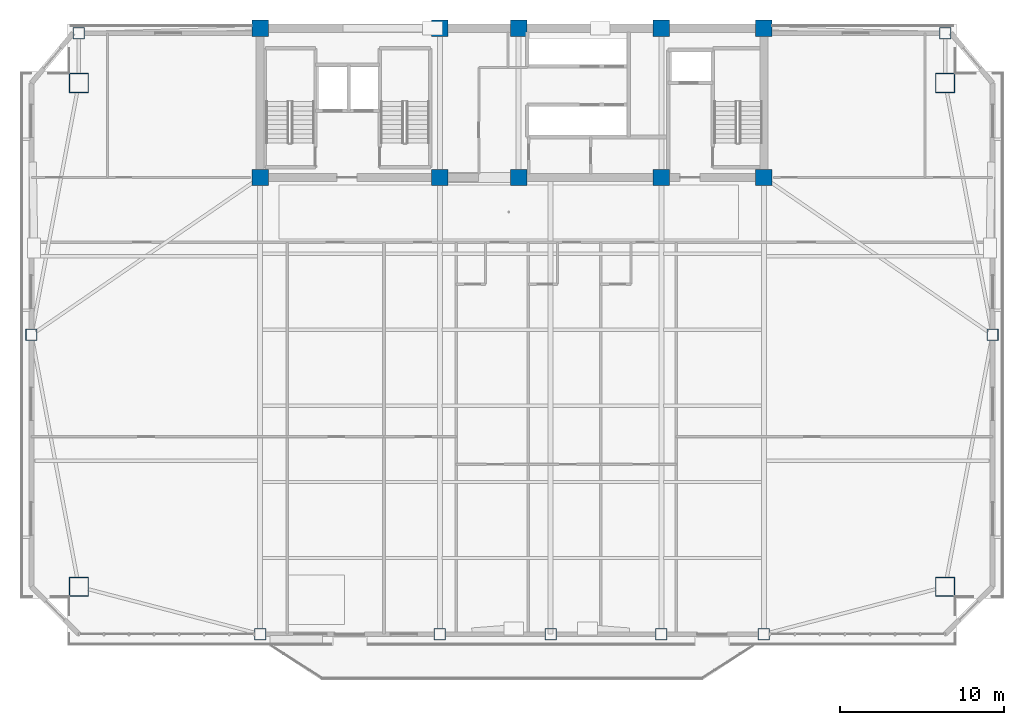
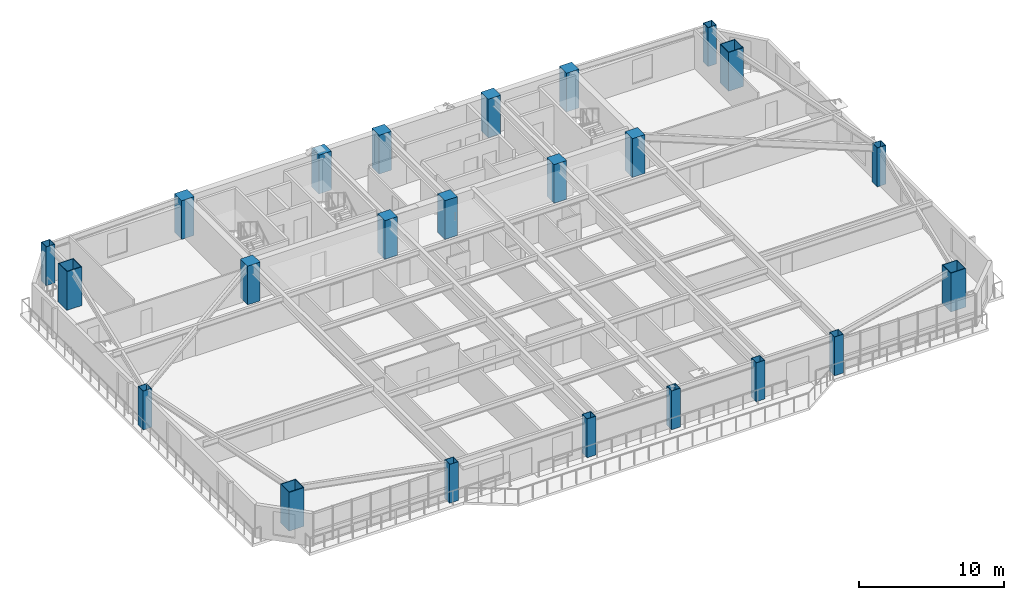
# One storey, part 1 of 15: 23 columns.
"""IFC4 building model written with IfcOpenShell, lengths in metres."""

from ifc_helpers import new_model, si_unit, direction, frame, origin, origin_2d, place, context, subcontext, project, spatial, rectangle, hollow_rectangle, extrude, source, transform, mapped, material, material_profile, profile_set, type_object, element, save


model = new_model("IFC4")

# Units and contexts
model_context = context("Model", 3, precision=1e-05, world=origin(), true_north=direction((0.0, 1.0)))
body_context = subcontext(model_context, "Body", "Model", "MODEL_VIEW")
ifc_project = project(units=[si_unit("LENGTHUNIT", "METRE"), si_unit("AREAUNIT", "SQUARE_METRE"), si_unit("VOLUMEUNIT", "CUBIC_METRE"), si_unit("PLANEANGLEUNIT", "RADIAN"), si_unit("MASSUNIT", "GRAM", prefix="KILO")], contexts=[model_context])

# Site, building, storey
site_placement = place(None, origin())
site = spatial("IfcSite", under=ifc_project, at=site_placement, CompositionType="ELEMENT")
building_placement = place(site_placement, origin())
building = spatial("IfcBuilding", under=site, at=building_placement, Name="Giltprow Tower", CompositionType="ELEMENT")
storey_placement = place(building_placement, frame((0.0, 0.0, 173.699951171875)))
storey = spatial("IfcBuildingStorey", under=building, at=storey_placement, Name="L43", CompositionType="ELEMENT", Elevation=173.699951171875)

# Columns
ifc_material_1 = material(Name="Concrete C50", Category="concrete")
ifc_material_profile_1 = material_profile(ifc_material_1, rectangle(XDim=1.0, YDim=1.0, at=origin_2d()), Name="RC 1000x1000")
ifc_profile_set_1 = profile_set([ifc_material_profile_1], Name="Concrete C50")
column_type_1 = type_object("IfcColumnType", Name="PIL-RC-1000-C50", PredefinedType="PILASTER", material=ifc_profile_set_1)
shared_shape_1 = source(origin(), body_context, "Body", "SweptSolid", [
    extrude(rectangle(XDim=1.0, YDim=1.0, at=origin_2d()), origin(), (0.0, 0.0, 1.0), 3.27001953125),
])
for number, where, z_axis, x_axis, name in (
    (1, (19.85009765625, 37.449951171875, 0.0), (0.0, 0.0, 1.0), (1.0, 0.0, 0.0), "L43 Core Boundary Pilaster 1-1"),
    (2, (19.85009765625, 46.550048828125, 0.0), (0.0, 0.0, 1.0), (1.0, 0.0, 0.0), "L43 Core Boundary Pilaster 1-2"),
    (3, (30.800048828125, 37.449951171875, 0.0), (0.0, 0.0, 1.0), (1.0, 0.0, 0.0), "L43 Core Boundary Pilaster 2-1"),
    (4, (30.800048828125, 46.550048828125, 0.0), (0.0, 0.0, 1.0), (1.0, 0.0, 0.0), "L43 Core Boundary Pilaster 2-2"),
    (5, (35.60009765625, 37.449951171875, 0.0), (0.0, 0.0, 1.0), (1.0, 0.0, 0.0), "L43 Core Boundary Pilaster 3-1"),
    (6, (35.60009765625, 46.550048828125, 0.0), (0.0, 0.0, 1.0), (1.0, 0.0, 0.0), "L43 Core Boundary Pilaster 3-2"),
    (7, (44.300048828125, 37.449951171875, 0.0), (0.0, 0.0, 1.0), (1.0, 0.0, 0.0), "L43 Core Boundary Pilaster 4-1"),
    (8, (44.300048828125, 46.550048828125, 0.0), (0.0, 0.0, 1.0), (1.0, 0.0, 0.0), "L43 Core Boundary Pilaster 4-2"),
    (9, (50.550048828125, 37.449951171875, 0.0), (0.0, 0.0, 1.0), (1.0, 0.0, 0.0), "L43 Core Boundary Pilaster 5-1"),
    (10, (50.550048828125, 46.550048828125, 0.0), (0.0, 0.0, 1.0), (1.0, 0.0, 0.0), "L43 Core Boundary Pilaster 5-2"),
):
    element("IfcColumn", number, at=place(storey_placement, frame(where, z_axis=z_axis, x_axis=x_axis)), inside=storey, type_object=column_type_1, Name=name, PredefinedType="PILASTER", context=body_context, shape_type="MappedRepresentation", body=[
        mapped(shared_shape_1, transform((0.0, 0.0, 0.0), x_axis=(1.0, 0.0, 0.0), y_axis=(0.0, 1.0, 0.0), z_axis=(0.0, 0.0, 1.0), scale=1.0)),
    ])
ifc_material_2 = material(Name="Structural steel Q420GJC", Category="steel")
ifc_material_profile_2 = material_profile(ifc_material_2, hollow_rectangle(XDim=1.199951171875, YDim=1.199951171875, WallThickness=0.054931640625, at=origin_2d()), Name="BOX 1200x1200x55")
ifc_profile_set_2 = profile_set([ifc_material_profile_2], Name="Structural steel Q420GJC")
column_type_2 = type_object("IfcColumnType", Name="COL-BOX-1200x1200x55", PredefinedType="COLUMN", material=ifc_profile_set_2)
shared_shape_2 = source(origin(), body_context, "Body", "SweptSolid", [
    extrude(hollow_rectangle(XDim=1.199951171875, YDim=1.199951171875, WallThickness=0.054931640625, at=origin_2d()), origin(), (0.0, 0.0, 1.0), 3.27001953125),
])
for number, where, z_axis, x_axis, name in (
    (11, (8.805908203125, 12.512939453125, 0.0), (0.0, 0.0, 1.0), (1.0, 0.0, 0.0), "L43 Mega-Column MC_SW"),
    (12, (61.593994140625, 12.512939453125, 0.0), (0.0, 0.0, 1.0), (1.0, 0.0, 0.0), "L43 Mega-Column MC_SE"),
    (13, (8.805908203125, 43.212890625, 0.0), (0.0, 0.0, 1.0), (1.0, 0.0, 0.0), "L43 Mega-Column MC_NW"),
    (14, (61.593994140625, 43.212890625, 0.0), (0.0, 0.0, 1.0), (1.0, 0.0, 0.0), "L43 Mega-Column MC_NE"),
):
    element("IfcColumn", number, at=place(storey_placement, frame(where, z_axis=z_axis, x_axis=x_axis)), inside=storey, type_object=column_type_2, Name=name, PredefinedType="COLUMN", context=body_context, shape_type="MappedRepresentation", body=[
        mapped(shared_shape_2, transform((0.0, 0.0, 0.0), x_axis=(1.0, 0.0, 0.0), y_axis=(0.0, 1.0, 0.0), z_axis=(0.0, 0.0, 1.0), scale=1.0)),
    ])
ifc_material_profile_3 = material_profile(ifc_material_2, hollow_rectangle(XDim=0.699951171875, YDim=0.699951171875, WallThickness=0.031982421875, at=origin_2d()), Name="BOX 700x700x32")
ifc_profile_set_3 = profile_set([ifc_material_profile_3], Name="Structural steel Q420GJC")
column_type_3 = type_object("IfcColumnType", Name="COL-BOX-700x700x32", PredefinedType="COLUMN", material=ifc_profile_set_3)
shared_shape_3 = source(origin(), body_context, "Body", "SweptSolid", [
    extrude(hollow_rectangle(XDim=0.699951171875, YDim=0.699951171875, WallThickness=0.031982421875, at=origin_2d()), origin(), (0.0, 0.0, 1.0), 3.27001953125),
])
for number, where, z_axis, x_axis, name in (
    (15, (19.85009765625, 9.6259765625, 0.0), (0.0, 0.0, 1.0), (1.0, 0.0, 0.0), "L43 Perimeter Column S1"),
    (16, (30.800048828125, 9.6259765625, 0.0), (0.0, 0.0, 1.0), (1.0, 0.0, 0.0), "L43 Perimeter Column S2"),
    (17, (37.550048828125, 9.6259765625, 0.0), (0.0, 0.0, 1.0), (1.0, 0.0, 0.0), "L43 Perimeter Column S_MID"),
    (18, (44.300048828125, 9.6259765625, 0.0), (0.0, 0.0, 1.0), (1.0, 0.0, 0.0), "L43 Perimeter Column S3"),
    (19, (50.550048828125, 9.6259765625, 0.0), (0.0, 0.0, 1.0), (1.0, 0.0, 0.0), "L43 Perimeter Column S4"),
    (20, (5.9189453125, 27.863037109375, 0.0), (0.0, 0.0, 1.0), (1.0, 0.0, 0.0), "L43 Perimeter Column W_MID"),
    (21, (64.48095703125, 27.863037109375, 0.0), (0.0, 0.0, 1.0), (1.0, 0.0, 0.0), "L43 Perimeter Column E_MID"),
    (22, (8.805908203125, 46.25, 0.0), (0.0, 0.0, 1.0), (1.0, 0.0, 0.0), "L43 Perimeter Column N_W"),
    (23, (61.593994140625, 46.25, 0.0), (0.0, 0.0, 1.0), (1.0, 0.0, 0.0), "L43 Perimeter Column N_E"),
):
    element("IfcColumn", number, at=place(storey_placement, frame(where, z_axis=z_axis, x_axis=x_axis)), inside=storey, type_object=column_type_3, Name=name, PredefinedType="COLUMN", context=body_context, shape_type="MappedRepresentation", body=[
        mapped(shared_shape_3, transform((0.0, 0.0, 0.0), x_axis=(1.0, 0.0, 0.0), y_axis=(0.0, 1.0, 0.0), z_axis=(0.0, 0.0, 1.0), scale=1.0)),
    ])

save(model, "model.ifc")
